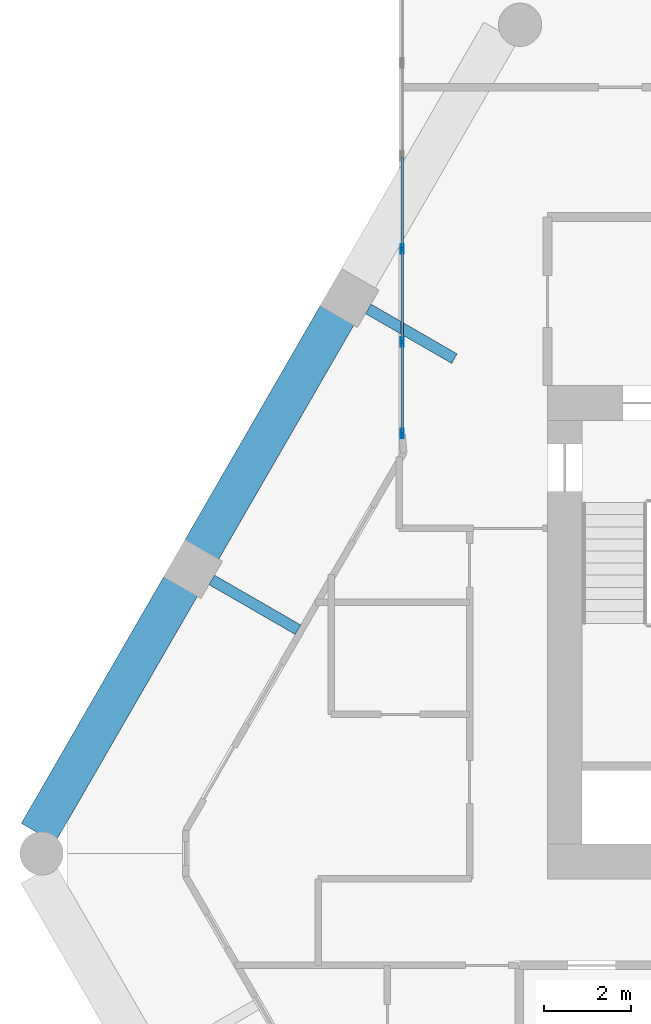
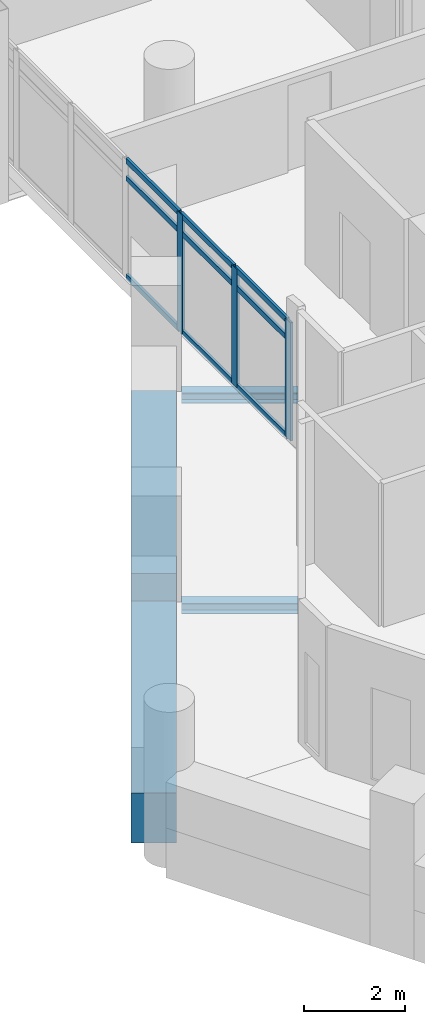
# One storey, part 12 of 29: 12 members, 4 beams, 1 element without a shape of its own.
"""IFC4 building model written with IfcOpenShell, lengths in metres."""

from ifc_helpers import new_model, si_unit, direction, frame, origin, origin_2d, place, context, subcontext, project, spatial, rectangle, hollow_rectangle, i_section, extrude, material, material_profile, profile_set, type_object, element, aggregate, save


model = new_model("IFC4")

# Units and contexts
model_context = context("Model", 3, precision=1e-05, world=origin(), true_north=direction((0.0, 1.0)))
body_context = subcontext(model_context, "Body", "Model", "MODEL_VIEW")
ifc_project = project(units=[si_unit("LENGTHUNIT", "METRE"), si_unit("AREAUNIT", "SQUARE_METRE"), si_unit("VOLUMEUNIT", "CUBIC_METRE"), si_unit("PLANEANGLEUNIT", "RADIAN"), si_unit("MASSUNIT", "GRAM", prefix="KILO")], contexts=[model_context])

# Site, building, storey
site_placement = place(None, origin())
site = spatial("IfcSite", under=ifc_project, at=site_placement, CompositionType="ELEMENT")
building_placement = place(site_placement, origin())
building = spatial("IfcBuilding", under=site, at=building_placement, Name="Ostrander Bayou Hotel Tower", CompositionType="ELEMENT")
storey_placement = place(building_placement, frame((0.0, 0.0, 205.75)))
storey = spatial("IfcBuildingStorey", under=building, at=storey_placement, Name="L51", CompositionType="ELEMENT", Elevation=205.75)

# Curtain wall, members
ifc_material_1 = material(Name="Aluminium and clear glass", Category="aluminium")
curtain_wall_type = type_object("IfcCurtainWallType", Name="CW-BAR glazed wall", PredefinedType="NOTDEFINED", material=ifc_material_1)
curtain_wall_placement = place(storey_placement, origin())
curtain_wall = element("IfcCurtainWall", 1, at=curtain_wall_placement, inside=storey, type_object=curtain_wall_type, Name="CW-BAR L51:SB4N:E", PredefinedType="NOTDEFINED")
ifc_material_2 = material(Name="Aluminium", Category="aluminium")
ifc_material_profile_1 = material_profile(ifc_material_2, hollow_rectangle(XDim=0.06005859375, YDim=0.219970703125, WallThickness=0.00390625, at=origin_2d()))
ifc_profile_set_1 = profile_set([ifc_material_profile_1], Name="Aluminium")
member_type_1 = type_object("IfcMemberType", Name="CW-BR mullion 60 x 220 mm", PredefinedType="MULLION", material=ifc_profile_set_1)
member_1_placement = place(storey_placement, frame((-11.857177734375, 8.594482421875, 0.0), z_axis=(0.0, 0.0, 1.0), x_axis=(-1.0, 0.0, 0.0)))
member_1 = element("IfcMember", 2, at=member_1_placement, type_object=member_type_1, Name="CW-BAR mullion 1", PredefinedType="MULLION", context=body_context, shape_type="SweptSolid", body=[
    extrude(hollow_rectangle(XDim=0.06005859375, YDim=0.219970703125, WallThickness=0.00390625, at=origin_2d()), origin(), (0.0, 0.0, 1.0), 2.85009765625),
])
member_2_placement = place(storey_placement, frame((-11.857177734375, 10.714599609375, 0.0), z_axis=(0.0, 0.0, 1.0), x_axis=(-1.0, 0.0, 0.0)))
member_2 = element("IfcMember", 3, at=member_2_placement, type_object=member_type_1, Name="CW-BAR mullion 2", PredefinedType="MULLION", context=body_context, shape_type="SweptSolid", body=[
    extrude(hollow_rectangle(XDim=0.06005859375, YDim=0.219970703125, WallThickness=0.00390625, at=origin_2d()), origin(), (0.0, 0.0, 1.0), 2.85009765625),
])
member_3_placement = place(storey_placement, frame((-11.857177734375, 12.86474609375, 0.0), z_axis=(0.0, 0.0, 1.0), x_axis=(-1.0, 0.0, 0.0)))
member_3 = element("IfcMember", 4, at=member_3_placement, type_object=member_type_1, Name="CW-BAR mullion 3", PredefinedType="MULLION", context=body_context, shape_type="SweptSolid", body=[
    extrude(hollow_rectangle(XDim=0.06005859375, YDim=0.219970703125, WallThickness=0.00390625, at=origin_2d()), origin(), (0.0, 0.0, 1.0), 2.85009765625),
])
ifc_material_3 = material(Name="Aluminium", Category="aluminium")
ifc_material_profile_2 = material_profile(ifc_material_3, hollow_rectangle(XDim=0.06005859375, YDim=0.1298828125, WallThickness=0.00390625, at=origin_2d()))
ifc_profile_set_2 = profile_set([ifc_material_profile_2], Name="Aluminium")
member_type_2 = type_object("IfcMemberType", Name="CW-BR transom 60 x 130 mm", PredefinedType="USERDEFINED", material=ifc_profile_set_2)
member_4_placement = place(storey_placement, frame((-11.857177734375, 8.62451171875, 0.030029296875), z_axis=(0.0, 1.0, 0.0), x_axis=(-1.0, 0.0, 0.0)))
member_4 = element("IfcMember", 5, at=member_4_placement, type_object=member_type_2, Name="CW-BAR transom 1.1", ObjectType="TRANSOM", PredefinedType="USERDEFINED", context=body_context, shape_type="SweptSolid", body=[
    extrude(hollow_rectangle(XDim=0.06005859375, YDim=0.1298828125, WallThickness=0.00390625, at=origin_2d()), origin(), (0.0, 0.0, 1.0), 2.06005859375),
])
member_5_placement = place(storey_placement, frame((-11.857177734375, 8.62451171875, 2.39990234375), z_axis=(0.0, 1.0, 0.0), x_axis=(-1.0, 0.0, 0.0)))
member_5 = element("IfcMember", 6, at=member_5_placement, type_object=member_type_2, Name="CW-BAR transom 1.2", ObjectType="TRANSOM", PredefinedType="USERDEFINED", context=body_context, shape_type="SweptSolid", body=[
    extrude(hollow_rectangle(XDim=0.06005859375, YDim=0.1298828125, WallThickness=0.00390625, at=origin_2d()), origin(), (0.0, 0.0, 1.0), 2.06005859375),
])
member_6_placement = place(storey_placement, frame((-11.857177734375, 8.62451171875, 2.820068359375), z_axis=(0.0, 1.0, 0.0), x_axis=(-1.0, 0.0, 0.0)))
member_6 = element("IfcMember", 7, at=member_6_placement, type_object=member_type_2, Name="CW-BAR transom 1.3", ObjectType="TRANSOM", PredefinedType="USERDEFINED", context=body_context, shape_type="SweptSolid", body=[
    extrude(hollow_rectangle(XDim=0.06005859375, YDim=0.1298828125, WallThickness=0.00390625, at=origin_2d()), origin(), (0.0, 0.0, 1.0), 2.06005859375),
])
member_7_placement = place(storey_placement, frame((-11.857177734375, 10.74462890625, 0.030029296875), z_axis=(0.0, 1.0, 0.0), x_axis=(-1.0, 0.0, 0.0)))
member_7 = element("IfcMember", 8, at=member_7_placement, type_object=member_type_2, Name="CW-BAR transom 2.1", ObjectType="TRANSOM", PredefinedType="USERDEFINED", context=body_context, shape_type="SweptSolid", body=[
    extrude(hollow_rectangle(XDim=0.06005859375, YDim=0.1298828125, WallThickness=0.00390625, at=origin_2d()), origin(), (0.0, 0.0, 1.0), 2.090087890625),
])
member_8_placement = place(storey_placement, frame((-11.857177734375, 10.74462890625, 2.39990234375), z_axis=(0.0, 1.0, 0.0), x_axis=(-1.0, 0.0, 0.0)))
member_8 = element("IfcMember", 9, at=member_8_placement, type_object=member_type_2, Name="CW-BAR transom 2.2", ObjectType="TRANSOM", PredefinedType="USERDEFINED", context=body_context, shape_type="SweptSolid", body=[
    extrude(hollow_rectangle(XDim=0.06005859375, YDim=0.1298828125, WallThickness=0.00390625, at=origin_2d()), origin(), (0.0, 0.0, 1.0), 2.090087890625),
])
member_9_placement = place(storey_placement, frame((-11.857177734375, 10.74462890625, 2.820068359375), z_axis=(0.0, 1.0, 0.0), x_axis=(-1.0, 0.0, 0.0)))
member_9 = element("IfcMember", 10, at=member_9_placement, type_object=member_type_2, Name="CW-BAR transom 2.3", ObjectType="TRANSOM", PredefinedType="USERDEFINED", context=body_context, shape_type="SweptSolid", body=[
    extrude(hollow_rectangle(XDim=0.06005859375, YDim=0.1298828125, WallThickness=0.00390625, at=origin_2d()), origin(), (0.0, 0.0, 1.0), 2.090087890625),
])
member_10_placement = place(storey_placement, frame((-11.857177734375, 12.894775390625, 0.030029296875), z_axis=(0.0, 1.0, 0.0), x_axis=(-1.0, 0.0, 0.0)))
member_10 = element("IfcMember", 11, at=member_10_placement, type_object=member_type_2, Name="CW-BAR transom 3.1", ObjectType="TRANSOM", PredefinedType="USERDEFINED", context=body_context, shape_type="SweptSolid", body=[
    extrude(hollow_rectangle(XDim=0.06005859375, YDim=0.1298828125, WallThickness=0.00390625, at=origin_2d()), origin(), (0.0, 0.0, 1.0), 2.090087890625),
])
member_11_placement = place(storey_placement, frame((-11.857177734375, 12.894775390625, 2.39990234375), z_axis=(0.0, 1.0, 0.0), x_axis=(-1.0, 0.0, 0.0)))
member_11 = element("IfcMember", 12, at=member_11_placement, type_object=member_type_2, Name="CW-BAR transom 3.2", ObjectType="TRANSOM", PredefinedType="USERDEFINED", context=body_context, shape_type="SweptSolid", body=[
    extrude(hollow_rectangle(XDim=0.06005859375, YDim=0.1298828125, WallThickness=0.00390625, at=origin_2d()), origin(), (0.0, 0.0, 1.0), 2.090087890625),
])
member_12_placement = place(storey_placement, frame((-11.857177734375, 12.894775390625, 2.820068359375), z_axis=(0.0, 1.0, 0.0), x_axis=(-1.0, 0.0, 0.0)))
member_12 = element("IfcMember", 13, at=member_12_placement, type_object=member_type_2, Name="CW-BAR transom 3.3", ObjectType="TRANSOM", PredefinedType="USERDEFINED", context=body_context, shape_type="SweptSolid", body=[
    extrude(hollow_rectangle(XDim=0.06005859375, YDim=0.1298828125, WallThickness=0.00390625, at=origin_2d()), origin(), (0.0, 0.0, 1.0), 2.090087890625),
])
aggregate(curtain_wall, [member_1, member_2, member_3, member_4, member_5, member_6, member_7, member_8, member_9, member_10, member_11, member_12])

# Beams
ifc_material_4 = material(Name="Steel ASTM A992", Category="steel")
ifc_material_profile_3 = material_profile(ifc_material_4, i_section(OverallWidth=0.25390625, OverallDepth=0.25341796875, WebThickness=0.008544921875, FlangeThickness=0.01416015625, at=origin_2d()))
ifc_profile_set_3 = profile_set([ifc_material_profile_3], Name="Steel ASTM A992")
beam_type_1 = type_object("IfcBeamType", Name="LB2 loggia bracket W10x49", PredefinedType="BEAM", material=ifc_profile_set_3)
beam_1_placement = place(storey_placement, frame((-12.642578125, 11.476806640625, -0.4267578125), z_axis=(0.866053019151, -0.499952165731, 0.0), x_axis=(0.499952165731, 0.866053019151, 0.0)))
element("IfcBeam", 14, at=beam_1_placement, inside=storey, type_object=beam_type_1, Name="LB2 L51 NW1", PredefinedType="BEAM", context=body_context, shape_type="SweptSolid", body=[
    extrude(i_section(OverallWidth=0.25390625, OverallDepth=0.25341796875, WebThickness=0.008544921875, FlangeThickness=0.01416015625, at=origin_2d()), origin(), (0.0, 0.0, 1.0), 2.300048828125),
])
beam_2_placement = place(storey_placement, frame((-16.260498046875, 5.210205078125, -0.4267578125), z_axis=(0.86602648383, -0.499998129301, 0.0), x_axis=(0.499998129301, 0.86602648383, 0.0)))
element("IfcBeam", 15, at=beam_2_placement, inside=storey, type_object=beam_type_1, Name="LB2 L51 NW2", PredefinedType="BEAM", context=body_context, shape_type="SweptSolid", body=[
    extrude(i_section(OverallWidth=0.25390625, OverallDepth=0.25341796875, WebThickness=0.008544921875, FlangeThickness=0.01416015625, at=origin_2d()), origin(), (0.0, 0.0, 1.0), 2.2998046875),
])
ifc_material_5 = material(Name="Concrete f'c 60 MPa", Category="concrete")
ifc_material_profile_4 = material_profile(ifc_material_5, rectangle(XDim=0.89990234375, YDim=1.199951171875, at=origin_2d()))
ifc_profile_set_4 = profile_set([ifc_material_profile_4], Name="Concrete f'c 60 MPa")
beam_type_2 = type_object("IfcBeamType", Name="SP3 spandrel beam 900 x 1200 mm f'c 60 MPa", PredefinedType="SPANDREL", material=ifc_profile_set_4)
beam_3_placement = place(storey_placement, frame((-13.353759765625, 11.344970703125, -0.60009765625), z_axis=(-0.500013351051, -0.866017695414, 0.0), x_axis=(0.866017695414, -0.500013351051, 0.0)))
element("IfcBeam", 16, at=beam_3_placement, inside=storey, type_object=beam_type_2, Name="SP3 L51 NW-2", PredefinedType="SPANDREL", context=body_context, shape_type="SweptSolid", body=[
    extrude(rectangle(XDim=0.89990234375, YDim=1.199951171875, at=origin_2d()), origin(), (0.0, 0.0, 1.0), 6.296142578125),
])
beam_4_placement = place(storey_placement, frame((-16.971923828125, 5.078125, -0.60009765625), z_axis=(-0.500010360262, -0.866019422202, 0.0), x_axis=(0.866019422202, -0.500010360262, 0.0)))
element("IfcBeam", 17, at=beam_4_placement, inside=storey, type_object=beam_type_2, Name="SP3 L51 NW-3", PredefinedType="SPANDREL", context=body_context, shape_type="SweptSolid", body=[
    extrude(rectangle(XDim=0.89990234375, YDim=1.199951171875, at=origin_2d()), origin(), (0.0, 0.0, 1.0), 6.606201171875),
])

save(model, "model.ifc")
